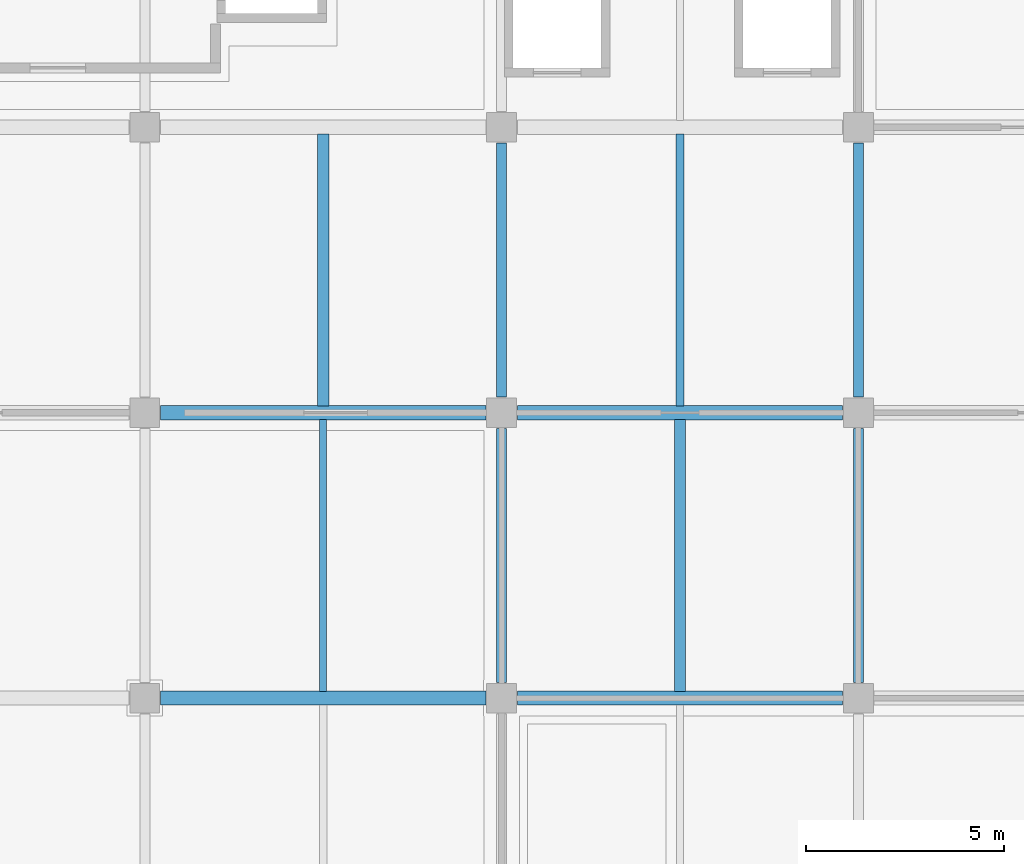
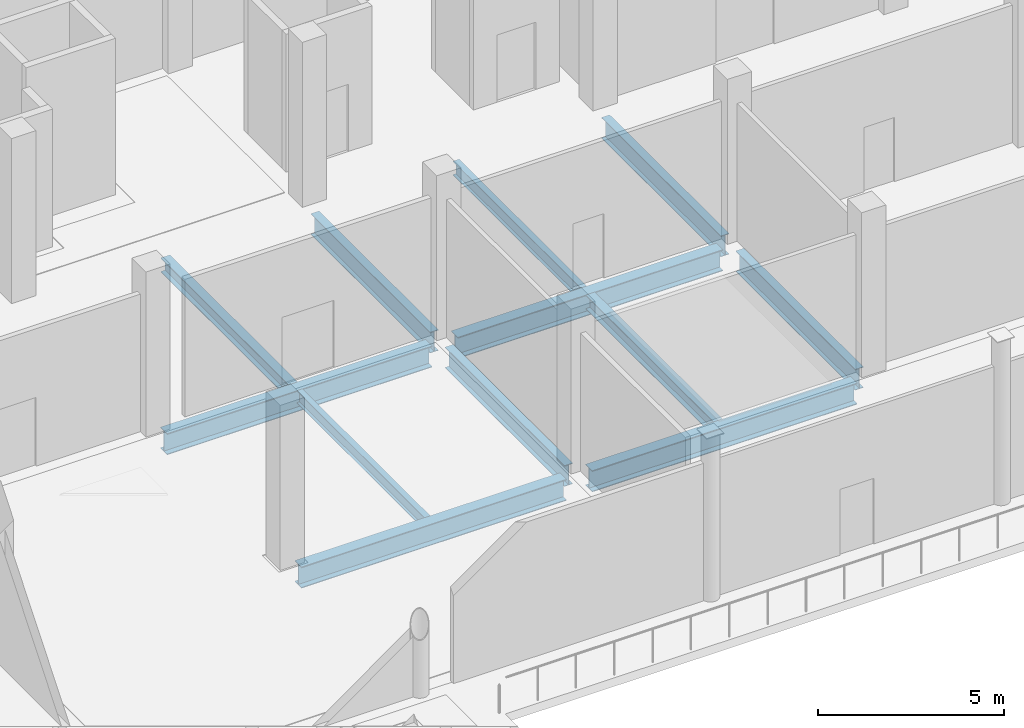
# One storey, part 91 of 189: 12 beams.
"""IFC4 building model written with IfcOpenShell, lengths in metres."""

import ifcopenshell
import ifcopenshell.guid

model = None  # the IFC model being written
_history = None  # IfcOwnerHistory: only IFC2X3 demands one
_inside = {}  # id of a spatial element -> (the spatial element, [elements in it])
_under = {}  # id of a project, library or spatial element -> (it, [spatial elements below it])
_declared = {}  # id of a project -> (the project, [libraries it declares])
_typed = {}  # id of a type object -> (the type object, [elements of that type])
_made_of = {}  # id of a material, layer set ... -> (it, [elements and type objects made of it])


def new_model(schema):
    """Start an empty IFC model of exactly this schema.

    Asked for "IFC4X3", IfcOpenShell would pick the latest addendum, in which some entities
    have other attributes; the version numbers below select the first issue.
    IFC2X3 requires an IfcOwnerHistory on every rooted entity: one is made here for all.
    """
    global model, _history
    if schema == "IFC4X3":
        model = ifcopenshell.file(schema_version=(4, 3, 0, 0))
    else:
        model = ifcopenshell.file(schema=schema)
    _inside.clear()
    _under.clear()
    _declared.clear()
    _typed.clear()
    _made_of.clear()
    _history = None
    if model.schema == "IFC2X3":
        org = make("IfcOrganization", Name="unknown")
        user = make(
            "IfcPersonAndOrganization",
            ThePerson=make("IfcPerson", FamilyName="unknown"),
            TheOrganization=org,
        )
        app = make(
            "IfcApplication",
            ApplicationDeveloper=org,
            Version="unknown",
            ApplicationFullName="unknown",
            ApplicationIdentifier="unknown",
        )
        _history = make(
            "IfcOwnerHistory",
            OwningUser=user,
            OwningApplication=app,
            ChangeAction="ADDED",
            CreationDate=0,
        )
    return model


def make(cls, **values):
    """One entity of the class cls with the attributes given. An attribute that is None is left unset."""
    return model.create_entity(
        cls, **{name: value for name, value in values.items() if value is not None}
    )


def rooted(cls, **values):
    """An entity with a GlobalId (a new one), such as an element, a storey or a relation."""
    return make(cls, GlobalId=ifcopenshell.guid.new(), OwnerHistory=_history, **values)


def si_unit(unit_type, name, prefix=None):
    """IfcSIUnit, for example si_unit("LENGTHUNIT", "METRE", prefix="MILLI")."""
    return make("IfcSIUnit", UnitType=unit_type, Prefix=prefix, Name=name)


def assignment(units):
    """IfcUnitAssignment: the units of a project."""
    return None if units is None else make("IfcUnitAssignment", Units=units)


def point(xyz):
    """IfcCartesianPoint."""
    return None if xyz is None else make("IfcCartesianPoint", Coordinates=xyz)


def direction(xyz):
    """IfcDirection."""
    return None if xyz is None else make("IfcDirection", DirectionRatios=xyz)


def frame(location, z_axis=None, x_axis=None):
    """IfcAxis2Placement3D, a coordinate frame: its origin and axes. An axis left out is left unset."""
    return make(
        "IfcAxis2Placement3D",
        Location=point(location),
        Axis=direction(z_axis),
        RefDirection=direction(x_axis),
    )


def frame_2d(location, x_axis=None):
    """IfcAxis2Placement2D, a coordinate frame in the plane: its origin and x axis."""
    return make(
        "IfcAxis2Placement2D", Location=point(location), RefDirection=direction(x_axis)
    )


def origin():
    """The frame at (0, 0, 0) with its axes left unset."""
    return frame((0.0, 0.0, 0.0))


def origin_2d():
    """The frame at (0, 0) in the plane with its x axis left unset."""
    return frame_2d((0.0, 0.0))


def place(relative_to, where):
    """IfcLocalPlacement: puts the frame where relative to a parent placement (None: the world)."""
    return make(
        "IfcLocalPlacement", PlacementRelTo=relative_to, RelativePlacement=where
    )


def context(
    kind, dimensions, precision=None, world=None, true_north=None, identifier=None
):
    """IfcGeometricRepresentationContext, for example the 3D "Model" context."""
    return make(
        "IfcGeometricRepresentationContext",
        ContextIdentifier=identifier,
        ContextType=kind,
        CoordinateSpaceDimension=dimensions,
        Precision=precision,
        WorldCoordinateSystem=world,
        TrueNorth=true_north,
    )


def subcontext(parent, identifier, kind, view, scale=None):
    """IfcGeometricRepresentationSubContext, for example "Body" below "Model"."""
    return make(
        "IfcGeometricRepresentationSubContext",
        ContextIdentifier=identifier,
        ContextType=kind,
        ParentContext=parent,
        TargetScale=scale,
        TargetView=view,
    )


def project(units=None, contexts=None):
    """IfcProject with its units and contexts."""
    return rooted(
        "IfcProject",
        Name="project",
        RepresentationContexts=contexts,
        UnitsInContext=assignment(units),
    )


def spatial(cls, under=None, at=None, **own):
    """A site, building, storey or space (cls), placed at a placement, below another one or the project."""
    s = rooted(cls, ObjectPlacement=at, **own)
    if under is not None:
        _under.setdefault(under.id(), (under, []))[1].append(s)
    return s


def profile(cls, at=None, kind="AREA", **sizes):
    """A parametric profile (cls). Its sizes go by their IFC names, for example OverallWidth=200.0."""
    return make(cls, ProfileType=kind, Position=at, **sizes)


def i_section(**sizes):
    """IfcIShapeProfileDef."""
    return profile("IfcIShapeProfileDef", **sizes)


def extrude(swept, where, along, depth):
    """IfcExtrudedAreaSolid: the profile swept, set in the frame where, extruded along a direction by depth."""
    return make(
        "IfcExtrudedAreaSolid",
        SweptArea=swept,
        Position=where,
        ExtrudedDirection=direction(along),
        Depth=depth,
    )


def shape(context_of_items, identifier, shape_type, items):
    """IfcShapeRepresentation: the items that make up one representation, for example the "Body"."""
    return make(
        "IfcShapeRepresentation",
        ContextOfItems=context_of_items,
        RepresentationIdentifier=identifier,
        RepresentationType=shape_type,
        Items=items,
    )


def material(Name=None, Category=None):
    """IfcMaterial."""
    return make("IfcMaterial", Name=Name, Category=Category)


def material_profile(
    of_material, cross_section, Name=None, Category=None, Priority=None
):
    """IfcMaterialProfile: a cross section and its material."""
    return make(
        "IfcMaterialProfile",
        Name=Name,
        Material=of_material,
        Profile=cross_section,
        Priority=Priority,
        Category=Category,
    )


def profile_set(profiles, Name=None, composite=None):
    """IfcMaterialProfileSet."""
    return make(
        "IfcMaterialProfileSet",
        Name=Name,
        MaterialProfiles=profiles,
        CompositeProfile=composite,
    )


def made_of(thing, what):
    """Note that an element or type object is made of a material, layer set ...; save() writes the relation."""
    if what is not None:
        _made_of.setdefault(what.id(), (what, []))[1].append(thing)
    return thing


def type_object(cls, material=None, **own):
    """A type object (cls), such as IfcWallType, which elements share."""
    return made_of(rooted(cls, **own), material)


def element(
    cls,
    number,
    at=None,
    inside=None,
    cuts=None,
    type_object=None,
    material=None,
    context=None,
    identifier="Body",
    shape_type=None,
    held_by="IfcProductDefinitionShape",
    body=None,
    shapes=None,
    **own,
):
    """One element of the class cls, such as IfcWall. Its Tag is "e" and its number.

    at: its placement. inside: the storey or other place that contains it. cuts: it is an
    opening in that element (IfcRelVoidsElement). A single representation is given by context,
    identifier, shape_type and body (its items); several are given by shapes. held_by: the class
    of the entity that holds the representations. save() writes the other relations.
    """
    e = rooted(cls, Tag="e%d" % number, ObjectPlacement=at, **own)
    if body is not None:
        shapes = [shape(context, identifier, shape_type, body)]
    if shapes is not None:
        e.Representation = make(held_by, Representations=shapes)
    if inside is not None:
        _inside.setdefault(inside.id(), (inside, []))[1].append(e)
    if cuts is not None:
        rooted(
            "IfcRelVoidsElement", RelatingBuildingElement=cuts, RelatedOpeningElement=e
        )
    if type_object is not None:
        _typed.setdefault(type_object.id(), (type_object, []))[1].append(e)
    return made_of(e, material)


def aggregate(whole, parts):
    """IfcRelAggregates: a whole, such as a stair, and the parts it consists of."""
    return rooted("IfcRelAggregates", RelatingObject=whole, RelatedObjects=parts)


def save(model, path):
    """Write the relations noted so far, then the file.

    IfcRelAggregates (storeys below a building ...), IfcRelContainedInSpatialStructure (elements
    in a storey), IfcRelDefinesByType, IfcRelAssociatesMaterial and IfcRelDeclares: one each for
    every whole, place, type object, material and project.
    """
    for whole, parts in _under.values():
        aggregate(whole, parts)
    for where, things in _inside.values():
        rooted(
            "IfcRelContainedInSpatialStructure",
            RelatedElements=things,
            RelatingStructure=where,
        )
    for kind, things in _typed.values():
        rooted("IfcRelDefinesByType", RelatedObjects=things, RelatingType=kind)
    for what, things in _made_of.values():
        rooted("IfcRelAssociatesMaterial", RelatedObjects=things, RelatingMaterial=what)
    for by, libraries in _declared.values():
        rooted("IfcRelDeclares", RelatingContext=by, RelatedDefinitions=libraries)
    model.write(path)


model = new_model("IFC4")

# Units and contexts
model_context = context("Model", 3, precision=1e-05, world=origin(), true_north=direction((0.0, 1.0)))
body_context = subcontext(model_context, "Body", "Model", "MODEL_VIEW")
ifc_project = project(units=[si_unit("LENGTHUNIT", "METRE"), si_unit("AREAUNIT", "SQUARE_METRE"), si_unit("VOLUMEUNIT", "CUBIC_METRE"), si_unit("PLANEANGLEUNIT", "RADIAN"), si_unit("MASSUNIT", "GRAM", prefix="KILO")], contexts=[model_context])

# Site, building, storey
site_placement = place(None, origin())
site = spatial("IfcSite", under=ifc_project, at=site_placement, CompositionType="ELEMENT")
building_placement = place(site_placement, origin())
building = spatial("IfcBuilding", under=site, at=building_placement, Name="Celestram Park Convention Centre", CompositionType="ELEMENT")
storey_placement = place(building_placement, frame((0.0, 0.0, 5.39990234375)))
storey = spatial("IfcBuildingStorey", under=building, at=storey_placement, Name="L01", CompositionType="ELEMENT", Elevation=5.39990234375)

# Beams
ifc_material = material(Name="Steel ASTM A992 Grade 50", Category="steel")
ifc_material_profile_1 = material_profile(ifc_material, i_section(OverallWidth=0.35595703125, OverallDepth=0.696044921875, WebThickness=0.015380859375, FlangeThickness=0.02490234375, at=origin_2d()), Name="W27X146")
ifc_profile_set_1 = profile_set([ifc_material_profile_1], Name="Steel ASTM A992 Grade 50")
beam_type_1 = type_object("IfcBeamType", Name="STR-BM-W27X146", PredefinedType="BEAM", material=ifc_profile_set_1)
for number, where, z_axis, x_axis, name in (
    (1, (45.39794921875, 129.60009765625, -0.6279296875), (1.0, 0.0, 0.0), (0.0, 1.0, 0.0), "Primary X-girder BG-L01-0069"),
    (2, (45.39794921875, 136.800048828125, -0.6279296875), (1.0, 0.0, 0.0), (0.0, 1.0, 0.0), "Primary X-girder BG-L01-0071"),
    (3, (54.39794921875, 129.60009765625, -0.6279296875), (1.0, 0.0, 0.0), (0.0, 1.0, 0.0), "Primary X-girder BG-L01-0090"),
    (4, (54.39794921875, 136.800048828125, -0.6279296875), (1.0, 0.0, 0.0), (0.0, 1.0, 0.0), "Primary X-girder BG-L01-0092"),
):
    element("IfcBeam", number, at=place(storey_placement, frame(where, z_axis=z_axis, x_axis=x_axis)), inside=storey, type_object=beam_type_1, Name=name, PredefinedType="BEAM", context=body_context, shape_type="SweptSolid", body=[
        extrude(i_section(OverallWidth=0.35595703125, OverallDepth=0.696044921875, WebThickness=0.015380859375, FlangeThickness=0.02490234375, at=origin_2d()), origin(), (0.0, 0.0, 1.0), 8.2041015625),
    ])
ifc_material_profile_2 = material_profile(ifc_material, i_section(OverallWidth=0.25390625, OverallDepth=0.68310546875, WebThickness=0.012451171875, FlangeThickness=0.01904296875, at=origin_2d()), Name="W27X94")
ifc_profile_set_2 = profile_set([ifc_material_profile_2], Name="Steel ASTM A992 Grade 50")
beam_type_2 = type_object("IfcBeamType", Name="STR-BM-W27X94", PredefinedType="BEAM", material=ifc_profile_set_2)
for number, where, z_axis, x_axis, name in (
    (5, (54.0, 129.998046875, -0.621337890625), (0.0, 1.0, 0.0), (-1.0, 0.0, 0.0), "Primary Y-girder BG-L01-0091"),
    (6, (54.0, 137.197998046875, -0.621337890625), (0.0, 1.0, 0.0), (-1.0, 0.0, 0.0), "Primary Y-girder BG-L01-0093"),
    (7, (63.0, 129.998046875, -0.621337890625), (0.0, 1.0, 0.0), (-1.0, 0.0, 0.0), "Primary Y-girder BG-L01-0112"),
    (8, (63.0, 137.197998046875, -0.621337890625), (0.0, 1.0, 0.0), (-1.0, 0.0, 0.0), "Primary Y-girder BG-L01-0114"),
):
    element("IfcBeam", number, at=place(storey_placement, frame(where, z_axis=z_axis, x_axis=x_axis)), inside=storey, type_object=beam_type_2, Name=name, PredefinedType="BEAM", context=body_context, shape_type="SweptSolid", body=[
        extrude(i_section(OverallWidth=0.25390625, OverallDepth=0.68310546875, WebThickness=0.012451171875, FlangeThickness=0.01904296875, at=origin_2d()), origin(), (0.0, 0.0, 1.0), 6.404052734375),
    ])
ifc_material_profile_3 = material_profile(ifc_material, i_section(OverallWidth=0.177978515625, OverallDepth=0.406005859375, WebThickness=0.0078125, FlangeThickness=0.0126953125, at=origin_2d()), Name="W16X40")
ifc_profile_set_3 = profile_set([ifc_material_profile_3], Name="Steel ASTM A992 Grade 50")
beam_type_3 = type_object("IfcBeamType", Name="STR-JST-W16X40", PredefinedType="JOIST", material=ifc_profile_set_3)
beam_1_placement = place(storey_placement, frame((49.5, 129.77392578125, -0.48291015625), z_axis=(0.0, 1.0, 0.0), x_axis=(-1.0, 0.0, 0.0)))
element("IfcBeam", 9, at=beam_1_placement, inside=storey, type_object=beam_type_3, Name="Secondary composite joist BG-L01-0569", PredefinedType="JOIST", context=body_context, shape_type="SweptSolid", body=[
    extrude(i_section(OverallWidth=0.177978515625, OverallDepth=0.406005859375, WebThickness=0.0078125, FlangeThickness=0.0126953125, at=origin_2d()), origin(), (0.0, 0.0, 1.0), 6.85205078125),
])
ifc_material_profile_4 = material_profile(ifc_material, i_section(OverallWidth=0.19091796875, OverallDepth=0.45703125, WebThickness=0.009033203125, FlangeThickness=0.014404296875, at=origin_2d()), Name="W18X50")
ifc_profile_set_4 = profile_set([ifc_material_profile_4], Name="Steel ASTM A992 Grade 50")
beam_type_4 = type_object("IfcBeamType", Name="STR-JST-W18X50", PredefinedType="JOIST", material=ifc_profile_set_4)
beam_2_placement = place(storey_placement, frame((58.5, 136.97412109375, -0.50830078125), z_axis=(0.0, 1.0, 0.0), x_axis=(-1.0, 0.0, 0.0)))
element("IfcBeam", 10, at=beam_2_placement, inside=storey, type_object=beam_type_4, Name="Secondary composite joist BG-L01-0578", PredefinedType="JOIST", context=body_context, shape_type="SweptSolid", body=[
    extrude(i_section(OverallWidth=0.19091796875, OverallDepth=0.45703125, WebThickness=0.009033203125, FlangeThickness=0.014404296875, at=origin_2d()), origin(), (0.0, 0.0, 1.0), 6.851806640625),
])
ifc_material_profile_5 = material_profile(ifc_material, i_section(OverallWidth=0.281982421875, OverallDepth=0.467041015625, WebThickness=0.01220703125, FlangeThickness=0.01953125, at=origin_2d()), Name="W18X86")
ifc_profile_set_5 = profile_set([ifc_material_profile_5], Name="Steel ASTM A992 Grade 50")
beam_type_5 = type_object("IfcBeamType", Name="STR-JST-W18X86", PredefinedType="JOIST", material=ifc_profile_set_5)
beam_3_placement = place(storey_placement, frame((49.5, 136.97412109375, -0.513427734375), z_axis=(0.0, 1.0, 0.0), x_axis=(-1.0, 0.0, 0.0)))
element("IfcBeam", 11, at=beam_3_placement, inside=storey, type_object=beam_type_5, Name="Secondary composite joist BG-L01-0570", PredefinedType="JOIST", context=body_context, shape_type="SweptSolid", body=[
    extrude(i_section(OverallWidth=0.281982421875, OverallDepth=0.467041015625, WebThickness=0.01220703125, FlangeThickness=0.01953125, at=origin_2d()), origin(), (0.0, 0.0, 1.0), 6.851806640625),
])
beam_4_placement = place(storey_placement, frame((58.5, 129.77392578125, -0.513427734375), z_axis=(0.0, 1.0, 0.0), x_axis=(-1.0, 0.0, 0.0)))
element("IfcBeam", 12, at=beam_4_placement, inside=storey, type_object=beam_type_5, Name="Secondary composite joist BG-L01-0577", PredefinedType="JOIST", context=body_context, shape_type="SweptSolid", body=[
    extrude(i_section(OverallWidth=0.281982421875, OverallDepth=0.467041015625, WebThickness=0.01220703125, FlangeThickness=0.01953125, at=origin_2d()), origin(), (0.0, 0.0, 1.0), 6.85205078125),
])

save(model, "model.ifc")
